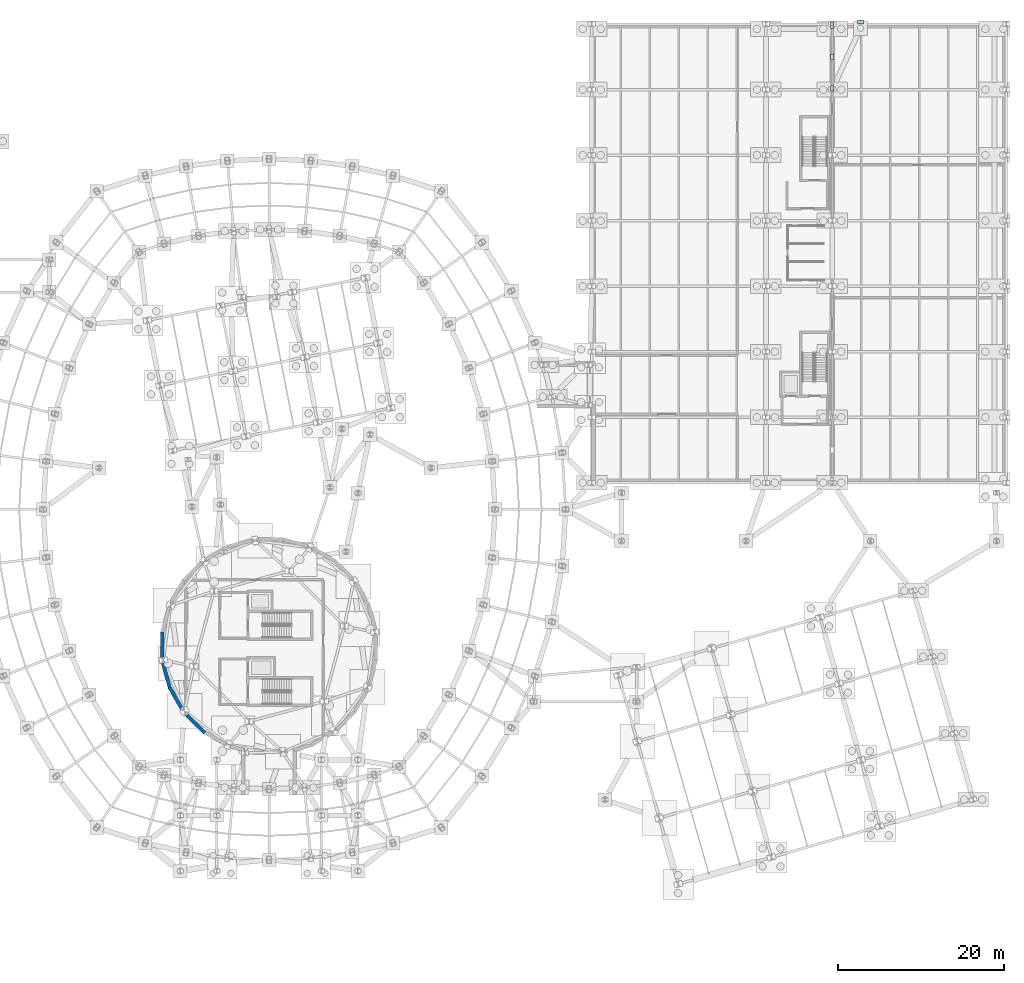
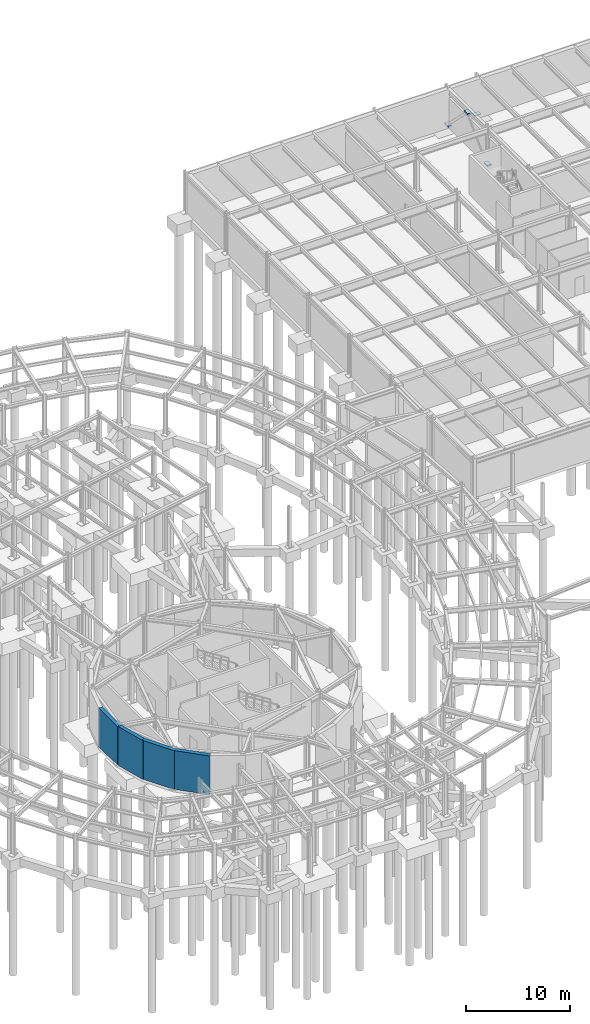
# One storey, part 40 of 50: 4 plates, 4 walls.
"""IFC4 building model written with IfcOpenShell, lengths in metres."""

from ifc_helpers import new_model, si_unit, direction, frame, frame_2d, origin, origin_2d, place, context, subcontext, project, spatial, rectangle, extrude, material, layer, layer_set, type_object, element, save


model = new_model("IFC4")

# Units and contexts
model_context = context("Model", 3, precision=1e-05, world=origin(), true_north=direction((0.0, 1.0)))
body_context = subcontext(model_context, "Body", "Model", "MODEL_VIEW")
ifc_project = project(units=[si_unit("LENGTHUNIT", "METRE"), si_unit("AREAUNIT", "SQUARE_METRE"), si_unit("VOLUMEUNIT", "CUBIC_METRE"), si_unit("PLANEANGLEUNIT", "RADIAN"), si_unit("MASSUNIT", "GRAM", prefix="KILO")], contexts=[model_context])

# Site, building, storey
site_placement = place(None, origin())
site = spatial("IfcSite", under=ifc_project, at=site_placement, CompositionType="ELEMENT")
building_placement = place(site_placement, origin())
building = spatial("IfcBuilding", under=site, at=building_placement, Name="Varnklinge Art Gallery", CompositionType="ELEMENT")
storey_placement = place(building_placement, frame((0.0, 0.0, -4.800048828125)))
storey = spatial("IfcBuildingStorey", under=building, at=storey_placement, Name="B01", CompositionType="ELEMENT", Elevation=-4.800048828125)

# Plates
ifc_material_1 = material(Name="Steel S355", Category="steel")
ifc_layer_1 = layer(ifc_material_1, 0.0400390625)
ifc_layer_set_1 = layer_set([ifc_layer_1], Name="Steel S355")
plate_type_1 = type_object("IfcPlateType", Name="PLT-BP1", PredefinedType="SHEET", material=ifc_layer_set_1)
plate_placement = place(storey_placement, frame((146.800048828125, 113.75, 0.0), z_axis=(0.0, 0.0, 1.0), x_axis=(1.0, 0.0, 0.0)))
element("IfcPlate", 1, at=plate_placement, inside=storey, type_object=plate_type_1, Name="B01 Column Base Plate APRX-C4", PredefinedType="SHEET", context=body_context, shape_type="SweptSolid", body=[
    extrude(rectangle(XDim=0.719970703125, YDim=0.5, at=origin_2d()), origin(), (0.0, 0.0, 1.0), 0.0400390625),
])
ifc_material_2 = material(Name="Steel S355", Category="steel")
ifc_layer_2 = layer(ifc_material_2, 0.159912109375)
ifc_layer_set_2 = layer_set([ifc_layer_2], Name="Steel S355")
plate_type_2 = type_object("IfcPlateType", Name="PLT-GP2", PredefinedType="USERDEFINED", material=ifc_layer_set_2)
for number, where, z_axis, x_axis, name in (
    (2, (143.39990234375, 105.760009765625, 0.1201171875), (0.0, 0.0, 1.0), (0.0, 1.0, 0.0), "B01 Braced Frame Gusset Node Block V1E-B6-L"),
    (3, (143.39990234375, 113.340087890625, 0.1201171875), (0.0, 0.0, 1.0), (0.0, 1.0, 0.0), "B01 Braced Frame Gusset Node Block V1E-B6-R"),
    (4, (143.39990234375, 109.550048828125, 3.8701171875), (0.0, 0.0, 1.0), (0.0, 1.0, 0.0), "B01 Braced Frame Gusset Node Block V1E-B6-M"),
):
    element("IfcPlate", number, at=place(storey_placement, frame(where, z_axis=z_axis, x_axis=x_axis)), inside=storey, type_object=plate_type_2, Name=name, ObjectType="GUSSET PLATE", PredefinedType="USERDEFINED", context=body_context, shape_type="SweptSolid", body=[
        extrude(rectangle(XDim=0.679931640625, YDim=0.43994140625, at=origin_2d()), origin(), (0.0, 0.0, 1.0), 0.159912109375),
    ])

# Walls
ifc_material_3 = material(Name="Concrete C40/50", Category="concrete")
ifc_layer_3 = layer(ifc_material_3, 0.419921875)
ifc_layer_set_3 = layer_set([ifc_layer_3], Name="Concrete C40/50")
wall_type = type_object("IfcWallType", Name="RW-42", PredefinedType="USERDEFINED", material=ifc_layer_set_3)
wall_1_placement = place(storey_placement, frame((67.74169921875, 28.047119140625, 0.0), z_axis=(0.0, 0.0, 1.0), x_axis=(-0.707072877762, 0.707140682986, 0.0)))
element("IfcWall", 5, at=wall_1_placement, inside=storey, type_object=wall_type, Name="B01 Exterior Wall RW-V4D-B01-09", ObjectType="RETAINING WALL", PredefinedType="USERDEFINED", context=body_context, shape_type="SweptSolid", body=[
    extrude(rectangle(XDim=3.6005859375, YDim=0.419921875, at=frame_2d((1.80029296875, 0.0))), origin(), (0.0, 0.0, 1.0), 4.550048828125),
])
wall_2_placement = place(storey_placement, frame((65.30078125, 30.411376953125, 0.0), z_axis=(0.0, 0.0, 1.0), x_axis=(-0.499974828743, 0.866039935929, 0.0)))
element("IfcWall", 6, at=wall_2_placement, inside=storey, type_object=wall_type, Name="B01 Exterior Wall RW-V4D-B01-10", ObjectType="RETAINING WALL", PredefinedType="USERDEFINED", context=body_context, shape_type="SweptSolid", body=[
    extrude(rectangle(XDim=3.600830078125, YDim=0.419921875, at=frame_2d((1.80029296875, 0.0))), origin(), (0.0, 0.0, 1.0), 4.550048828125),
])
for number, where, z_axis, x_axis, name in (
    (7, (63.554931640625, 33.326904296875, 0.0), (0.0, 0.0, 1.0), (-0.258886342435, 0.96590779151, 0.0), "B01 Exterior Wall RW-V4D-B01-11"),
    (8, (62.622802734375, 36.5947265625, 0.0), (0.0, 0.0, 1.0), (0.0, 1.0, 0.0), "B01 Exterior Wall RW-V4D-B01-12"),
):
    element("IfcWall", number, at=place(storey_placement, frame(where, z_axis=z_axis, x_axis=x_axis)), inside=storey, type_object=wall_type, Name=name, ObjectType="RETAINING WALL", PredefinedType="USERDEFINED", context=body_context, shape_type="SweptSolid", body=[
        extrude(rectangle(XDim=3.6005859375, YDim=0.419921875, at=frame_2d((1.80029296875, 0.0))), origin(), (0.0, 0.0, 1.0), 4.550048828125),
    ])

save(model, "model.ifc")
